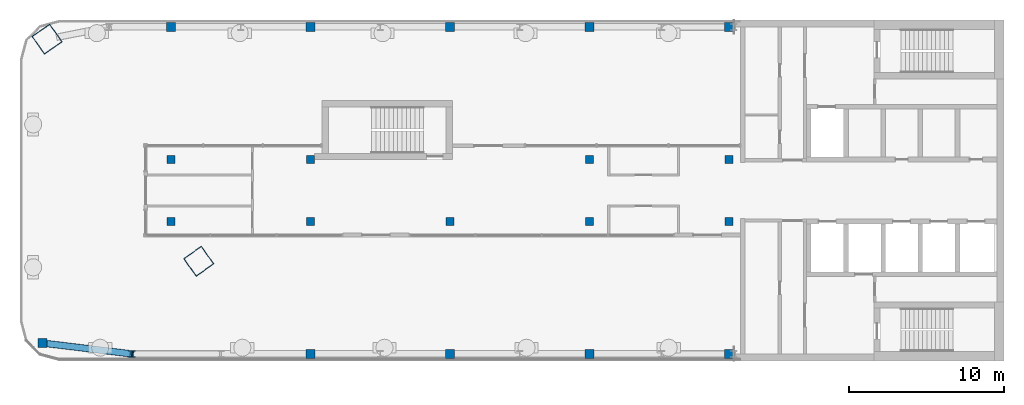
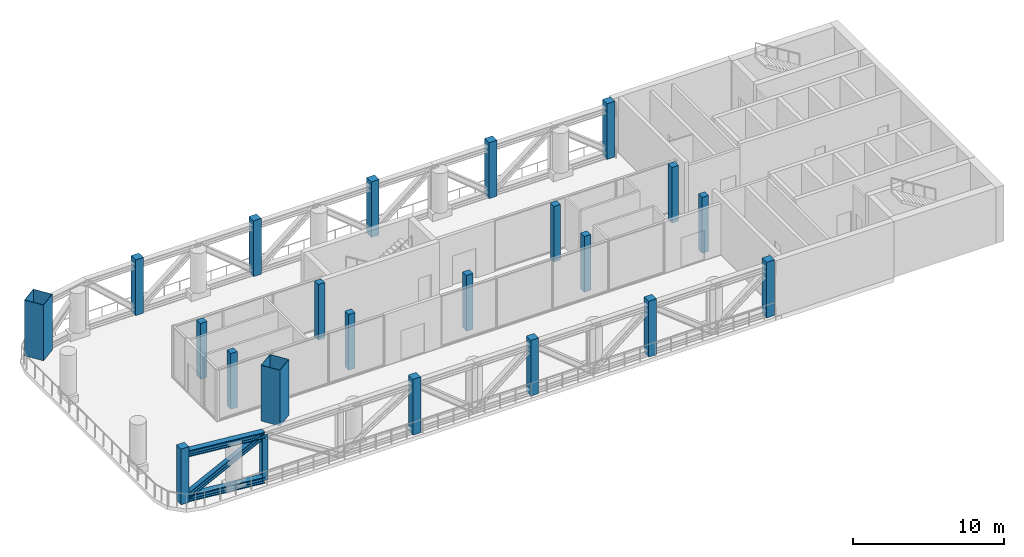
# One storey, part 1 of 9: 21 columns, 4 members.
"""IFC4 building model written with IfcOpenShell, lengths in metres."""

from ifc_helpers import new_model, si_unit, direction, frame, origin, origin_2d, place, context, subcontext, project, spatial, rectangle, hollow_rectangle, i_section, extrude, material, material_profile, profile_set, type_object, element, save


model = new_model("IFC4")

# Units and contexts
model_context = context("Model", 3, precision=1e-05, world=origin(), true_north=direction((0.0, 1.0)))
body_context = subcontext(model_context, "Body", "Model", "MODEL_VIEW")
ifc_project = project(units=[si_unit("LENGTHUNIT", "METRE"), si_unit("AREAUNIT", "SQUARE_METRE"), si_unit("VOLUMEUNIT", "CUBIC_METRE"), si_unit("PLANEANGLEUNIT", "RADIAN"), si_unit("MASSUNIT", "GRAM", prefix="KILO")], contexts=[model_context])

# Site, building, storey
site_placement = place(None, origin())
site = spatial("IfcSite", under=ifc_project, at=site_placement, CompositionType="ELEMENT")
building_placement = place(site_placement, origin())
building = spatial("IfcBuilding", under=site, at=building_placement, Name="Skarvind Civic Tower", CompositionType="ELEMENT")
storey_placement = place(building_placement, frame((0.0, 0.0, 277.5)))
storey = spatial("IfcBuildingStorey", under=building, at=storey_placement, Name="L66", CompositionType="ELEMENT", Elevation=277.5)

# Columns
ifc_material_1 = material(Name="Concrete C60", Category="concrete")
ifc_material_profile_1 = material_profile(ifc_material_1, rectangle(XDim=0.5, YDim=0.5, at=origin_2d()), Name="RC-500x500")
ifc_profile_set_1 = profile_set([ifc_material_profile_1], Name="Concrete C60")
column_type_1 = type_object("IfcColumnType", Name="Column RC-500x500 C60", PredefinedType="COLUMN", material=ifc_profile_set_1)
for number, where, z_axis, x_axis, name in (
    (1, (54.25, 130.0, 0.0), (0.0, 0.0, 1.0), (1.0, 0.0, 0.0), "Column wing 1 north inner 02 L66"),
    (2, (63.25, 130.0, 0.0), (0.0, 0.0, 1.0), (1.0, 0.0, 0.0), "Column wing 1 north inner 03 L66"),
    (3, (81.25, 130.0, 0.0), (0.0, 0.0, 1.0), (1.0, 0.0, 0.0), "Column wing 1 north inner 05 L66"),
    (4, (90.25, 130.0, 0.0), (0.0, 0.0, 1.0), (1.0, 0.0, 0.0), "Column wing 1 north inner 06 L66"),
    (5, (54.25, 126.0, 0.0), (0.0, 0.0, 1.0), (1.0, 0.0, 0.0), "Column wing 1 south inner 02 L66"),
    (6, (63.25, 126.0, 0.0), (0.0, 0.0, 1.0), (1.0, 0.0, 0.0), "Column wing 1 south inner 03 L66"),
    (7, (72.25, 126.0, 0.0), (0.0, 0.0, 1.0), (1.0, 0.0, 0.0), "Column wing 1 south inner 04 L66"),
    (8, (81.25, 126.0, 0.0), (0.0, 0.0, 1.0), (1.0, 0.0, 0.0), "Column wing 1 south inner 05 L66"),
    (9, (90.25, 126.0, 0.0), (0.0, 0.0, 1.0), (1.0, 0.0, 0.0), "Column wing 1 south inner 06 L66"),
):
    element("IfcColumn", number, at=place(storey_placement, frame(where, z_axis=z_axis, x_axis=x_axis)), inside=storey, type_object=column_type_1, Name=name, PredefinedType="COLUMN", context=body_context, shape_type="SweptSolid", body=[
        extrude(rectangle(XDim=0.5, YDim=0.5, at=origin_2d()), origin(), (0.0, 0.0, 1.0), 4.5),
    ])
ifc_material_profile_2 = material_profile(ifc_material_1, rectangle(XDim=0.60009765625, YDim=0.60009765625, at=origin_2d()), Name="RC-600x600")
ifc_profile_set_2 = profile_set([ifc_material_profile_2], Name="Concrete C60")
column_type_2 = type_object("IfcColumnType", Name="Column RC-600x600 C60", PredefinedType="COLUMN", material=ifc_profile_set_2)
for number, where, z_axis, x_axis, name in (
    (10, (54.25, 138.550048828125, 0.0), (0.0, 0.0, 1.0), (1.0, 0.0, 0.0), "Column wing 1 north perimeter 02 L66"),
    (11, (63.25, 138.550048828125, 0.0), (0.0, 0.0, 1.0), (1.0, 0.0, 0.0), "Column wing 1 north perimeter 03 L66"),
    (12, (72.25, 138.550048828125, 0.0), (0.0, 0.0, 1.0), (1.0, 0.0, 0.0), "Column wing 1 north perimeter 04 L66"),
    (13, (81.25, 138.550048828125, 0.0), (0.0, 0.0, 1.0), (1.0, 0.0, 0.0), "Column wing 1 north perimeter 05 L66"),
    (14, (90.25, 138.550048828125, 0.0), (0.0, 0.0, 1.0), (1.0, 0.0, 0.0), "Column wing 1 north perimeter 06 L66"),
    (15, (45.95166015625, 118.151611328125, 0.0), (0.0, 0.0, 1.0), (1.0, 0.0, 0.0), "Column wing 1 south perimeter 01 L66"),
    (16, (63.25, 117.449951171875, 0.0), (0.0, 0.0, 1.0), (1.0, 0.0, 0.0), "Column wing 1 south perimeter 03 L66"),
    (17, (72.25, 117.449951171875, 0.0), (0.0, 0.0, 1.0), (1.0, 0.0, 0.0), "Column wing 1 south perimeter 04 L66"),
    (18, (81.25, 117.449951171875, 0.0), (0.0, 0.0, 1.0), (1.0, 0.0, 0.0), "Column wing 1 south perimeter 05 L66"),
    (19, (90.25, 117.449951171875, 0.0), (0.0, 0.0, 1.0), (1.0, 0.0, 0.0), "Column wing 1 south perimeter 06 L66"),
):
    element("IfcColumn", number, at=place(storey_placement, frame(where, z_axis=z_axis, x_axis=x_axis)), inside=storey, type_object=column_type_2, Name=name, PredefinedType="COLUMN", context=body_context, shape_type="SweptSolid", body=[
        extrude(rectangle(XDim=0.60009765625, YDim=0.60009765625, at=origin_2d()), origin(), (0.0, 0.0, 1.0), 4.5),
    ])
ifc_material_2 = material(Name="Composite concrete-filled steel tube, Steel SM355 with Concrete C60", Category="concrete")
ifc_material_profile_3 = material_profile(ifc_material_2, hollow_rectangle(XDim=1.39990234375, YDim=1.39990234375, WallThickness=0.02490234375, at=origin_2d()), Name="BOX-1400x1400x25")
ifc_profile_set_3 = profile_set([ifc_material_profile_3], Name="Composite concrete-filled steel tube, Steel SM355 with Concrete C60")
column_type_3 = type_object("IfcColumnType", Name="Mega column BOX-1400x1400x25 filled C60", PredefinedType="COLUMN", material=ifc_profile_set_3)
for number, where, z_axis, x_axis, name in (
    (20, (46.2470703125, 137.762451171875, 0.0), (0.0, 0.0, 1.0), (0.573576436351, -0.819152044289, 0.0), "Mega column 2 L66"),
    (21, (56.0361328125, 123.43017578125, 0.0), (0.0, 0.0, 1.0), (0.573576436351, -0.819152044289, 0.0), "Mega column 4 L66"),
):
    element("IfcColumn", number, at=place(storey_placement, frame(where, z_axis=z_axis, x_axis=x_axis)), inside=storey, type_object=column_type_3, Name=name, PredefinedType="COLUMN", context=body_context, shape_type="SweptSolid", body=[
        extrude(hollow_rectangle(XDim=1.39990234375, YDim=1.39990234375, WallThickness=0.02490234375, at=origin_2d()), origin(), (0.0, 0.0, 1.0), 4.5),
    ])

# Members
ifc_material_3 = material(Name="Steel SM355", Category="steel")
ifc_material_profile_4 = material_profile(ifc_material_3, i_section(OverallWidth=0.431884765625, OverallDepth=0.498046875, WebThickness=0.044921875, FlangeThickness=0.070068359375, FilletRadius=0.02197265625, at=origin_2d()), Name="H-498x432x45x70")
ifc_profile_set_4 = profile_set([ifc_material_profile_4], Name="Steel SM355")
member_type_1 = type_object("IfcMemberType", Name="Truss chord H-498x432x45x70 SM355", PredefinedType="CHORD", material=ifc_profile_set_4)
for number, where, z_axis, x_axis, name in (
    (22, (46.25146484375, 118.114990234375, 0.2490234375), (0.992680401404, -0.120770942985, 0.0), (0.120770942985, 0.992680401404, 0.0), "Belt truss L66 W1S chord"),
    (23, (46.25146484375, 118.114990234375, 3.8759765625), (0.992680401404, -0.120770942985, 0.0), (0.120770942985, 0.992680401404, 0.0), "Belt truss L66 W1S chord"),
):
    element("IfcMember", number, at=place(storey_placement, frame(where, z_axis=z_axis, x_axis=x_axis)), inside=storey, type_object=member_type_1, Name=name, PredefinedType="CHORD", context=body_context, shape_type="SweptSolid", body=[
        extrude(i_section(OverallWidth=0.431884765625, OverallDepth=0.498046875, WebThickness=0.044921875, FlangeThickness=0.070068359375, FilletRadius=0.02197265625, at=origin_2d()), origin(), (0.0, 0.0, 1.0), 5.506591796875),
    ])
ifc_material_profile_5 = material_profile(ifc_material_3, i_section(OverallWidth=0.406982421875, OverallDepth=0.427978515625, WebThickness=0.02001953125, FlangeThickness=0.034912109375, FilletRadius=0.02197265625, at=origin_2d()), Name="H-428x407x20x35")
ifc_profile_set_5 = profile_set([ifc_material_profile_5], Name="Steel SM355")
member_type_2 = type_object("IfcMemberType", Name="Truss diagonal H-428x407x20x35 SM355", PredefinedType="BRACE", material=ifc_profile_set_5)
member_1_placement = place(storey_placement, frame((46.25146484375, 118.114990234375, 0.419677734375), z_axis=(0.839406482866, -0.102123414887, 0.533823533253), x_axis=(0.120770942985, 0.992680401404, 0.0)))
element("IfcMember", 24, at=member_1_placement, inside=storey, type_object=member_type_2, Name="Belt truss L66 W1S diagonal", PredefinedType="BRACE", context=body_context, shape_type="SweptSolid", body=[
    extrude(i_section(OverallWidth=0.406982421875, OverallDepth=0.427978515625, WebThickness=0.02001953125, FlangeThickness=0.034912109375, FilletRadius=0.02197265625, at=origin_2d()), origin(), (0.0, 0.0, 1.0), 6.51220703125),
])
ifc_material_profile_6 = material_profile(ifc_material_3, i_section(OverallWidth=0.407958984375, OverallDepth=0.39990234375, WebThickness=0.02099609375, FlangeThickness=0.02099609375, FilletRadius=0.02197265625, at=origin_2d()), Name="H-400x408x21x21")
ifc_profile_set_6 = profile_set([ifc_material_profile_6], Name="Steel SM355")
member_type_3 = type_object("IfcMemberType", Name="Truss post H-400x408x21x21 SM355", PredefinedType="POST", material=ifc_profile_set_6)
member_2_placement = place(storey_placement, frame((51.7177734375, 117.449951171875, 0.22900390625), z_axis=(0.0, 0.0, 1.0), x_axis=(1.0, 0.0, 0.0)))
element("IfcMember", 25, at=member_2_placement, inside=storey, type_object=member_type_3, Name="Belt truss L66 W1S post", PredefinedType="POST", context=body_context, shape_type="SweptSolid", body=[
    extrude(i_section(OverallWidth=0.407958984375, OverallDepth=0.39990234375, WebThickness=0.02099609375, FlangeThickness=0.02099609375, FilletRadius=0.02197265625, at=origin_2d()), origin(), (0.0, 0.0, 1.0), 3.6669921875),
])

save(model, "model.ifc")
